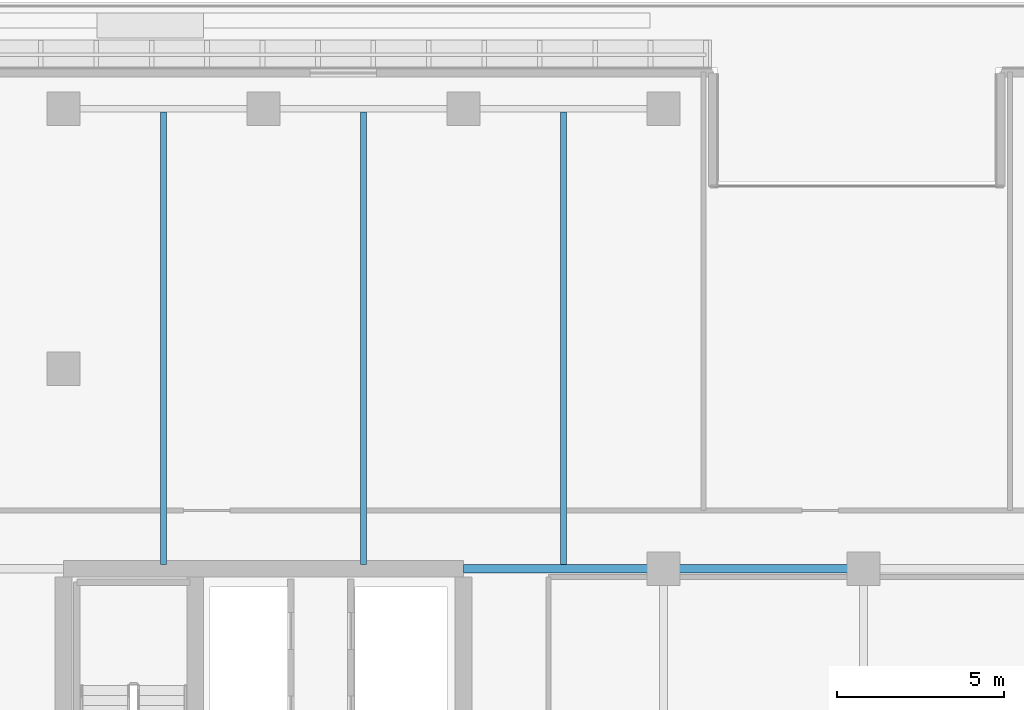
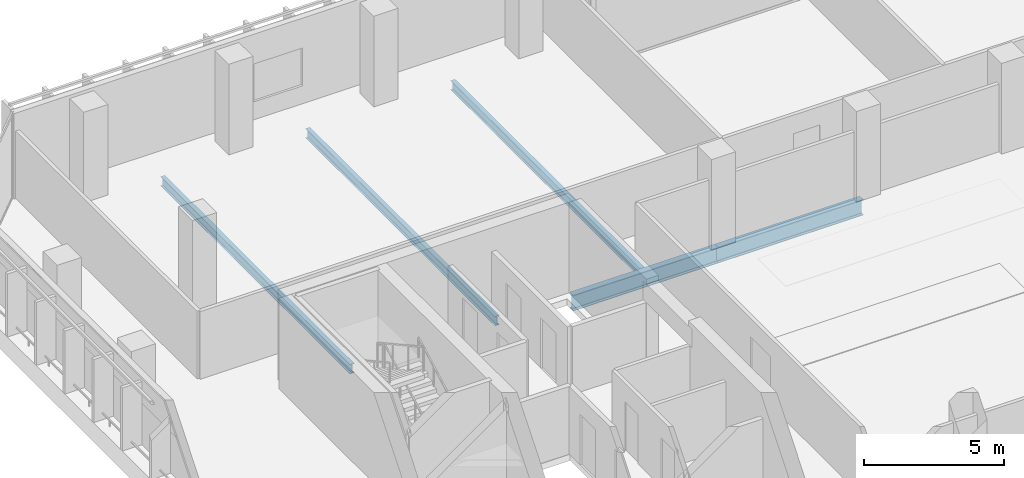
# One storey, part 11 of 38: 5 beams.
"""IFC4 building model written with IfcOpenShell, lengths in metres."""

import ifcopenshell
import ifcopenshell.guid

model = None  # the IFC model being written
_history = None  # IfcOwnerHistory: only IFC2X3 demands one
_inside = {}  # id of a spatial element -> (the spatial element, [elements in it])
_under = {}  # id of a project, library or spatial element -> (it, [spatial elements below it])
_declared = {}  # id of a project -> (the project, [libraries it declares])
_typed = {}  # id of a type object -> (the type object, [elements of that type])
_made_of = {}  # id of a material, layer set ... -> (it, [elements and type objects made of it])


def new_model(schema):
    """Start an empty IFC model of exactly this schema.

    Asked for "IFC4X3", IfcOpenShell would pick the latest addendum, in which some entities
    have other attributes; the version numbers below select the first issue.
    IFC2X3 requires an IfcOwnerHistory on every rooted entity: one is made here for all.
    """
    global model, _history
    if schema == "IFC4X3":
        model = ifcopenshell.file(schema_version=(4, 3, 0, 0))
    else:
        model = ifcopenshell.file(schema=schema)
    _inside.clear()
    _under.clear()
    _declared.clear()
    _typed.clear()
    _made_of.clear()
    _history = None
    if model.schema == "IFC2X3":
        org = make("IfcOrganization", Name="unknown")
        user = make(
            "IfcPersonAndOrganization",
            ThePerson=make("IfcPerson", FamilyName="unknown"),
            TheOrganization=org,
        )
        app = make(
            "IfcApplication",
            ApplicationDeveloper=org,
            Version="unknown",
            ApplicationFullName="unknown",
            ApplicationIdentifier="unknown",
        )
        _history = make(
            "IfcOwnerHistory",
            OwningUser=user,
            OwningApplication=app,
            ChangeAction="ADDED",
            CreationDate=0,
        )
    return model


def make(cls, **values):
    """One entity of the class cls with the attributes given. An attribute that is None is left unset."""
    return model.create_entity(
        cls, **{name: value for name, value in values.items() if value is not None}
    )


def rooted(cls, **values):
    """An entity with a GlobalId (a new one), such as an element, a storey or a relation."""
    return make(cls, GlobalId=ifcopenshell.guid.new(), OwnerHistory=_history, **values)


def si_unit(unit_type, name, prefix=None):
    """IfcSIUnit, for example si_unit("LENGTHUNIT", "METRE", prefix="MILLI")."""
    return make("IfcSIUnit", UnitType=unit_type, Prefix=prefix, Name=name)


def assignment(units):
    """IfcUnitAssignment: the units of a project."""
    return None if units is None else make("IfcUnitAssignment", Units=units)


def point(xyz):
    """IfcCartesianPoint."""
    return None if xyz is None else make("IfcCartesianPoint", Coordinates=xyz)


def direction(xyz):
    """IfcDirection."""
    return None if xyz is None else make("IfcDirection", DirectionRatios=xyz)


def frame(location, z_axis=None, x_axis=None):
    """IfcAxis2Placement3D, a coordinate frame: its origin and axes. An axis left out is left unset."""
    return make(
        "IfcAxis2Placement3D",
        Location=point(location),
        Axis=direction(z_axis),
        RefDirection=direction(x_axis),
    )


def frame_2d(location, x_axis=None):
    """IfcAxis2Placement2D, a coordinate frame in the plane: its origin and x axis."""
    return make(
        "IfcAxis2Placement2D", Location=point(location), RefDirection=direction(x_axis)
    )


def origin():
    """The frame at (0, 0, 0) with its axes left unset."""
    return frame((0.0, 0.0, 0.0))


def origin_2d():
    """The frame at (0, 0) in the plane with its x axis left unset."""
    return frame_2d((0.0, 0.0))


def place(relative_to, where):
    """IfcLocalPlacement: puts the frame where relative to a parent placement (None: the world)."""
    return make(
        "IfcLocalPlacement", PlacementRelTo=relative_to, RelativePlacement=where
    )


def context(
    kind, dimensions, precision=None, world=None, true_north=None, identifier=None
):
    """IfcGeometricRepresentationContext, for example the 3D "Model" context."""
    return make(
        "IfcGeometricRepresentationContext",
        ContextIdentifier=identifier,
        ContextType=kind,
        CoordinateSpaceDimension=dimensions,
        Precision=precision,
        WorldCoordinateSystem=world,
        TrueNorth=true_north,
    )


def subcontext(parent, identifier, kind, view, scale=None):
    """IfcGeometricRepresentationSubContext, for example "Body" below "Model"."""
    return make(
        "IfcGeometricRepresentationSubContext",
        ContextIdentifier=identifier,
        ContextType=kind,
        ParentContext=parent,
        TargetScale=scale,
        TargetView=view,
    )


def project(units=None, contexts=None):
    """IfcProject with its units and contexts."""
    return rooted(
        "IfcProject",
        Name="project",
        RepresentationContexts=contexts,
        UnitsInContext=assignment(units),
    )


def spatial(cls, under=None, at=None, **own):
    """A site, building, storey or space (cls), placed at a placement, below another one or the project."""
    s = rooted(cls, ObjectPlacement=at, **own)
    if under is not None:
        _under.setdefault(under.id(), (under, []))[1].append(s)
    return s


def profile(cls, at=None, kind="AREA", **sizes):
    """A parametric profile (cls). Its sizes go by their IFC names, for example OverallWidth=200.0."""
    return make(cls, ProfileType=kind, Position=at, **sizes)


def i_section(**sizes):
    """IfcIShapeProfileDef."""
    return profile("IfcIShapeProfileDef", **sizes)


def extrude(swept, where, along, depth):
    """IfcExtrudedAreaSolid: the profile swept, set in the frame where, extruded along a direction by depth."""
    return make(
        "IfcExtrudedAreaSolid",
        SweptArea=swept,
        Position=where,
        ExtrudedDirection=direction(along),
        Depth=depth,
    )


def shape(context_of_items, identifier, shape_type, items):
    """IfcShapeRepresentation: the items that make up one representation, for example the "Body"."""
    return make(
        "IfcShapeRepresentation",
        ContextOfItems=context_of_items,
        RepresentationIdentifier=identifier,
        RepresentationType=shape_type,
        Items=items,
    )


def material(Name=None, Category=None):
    """IfcMaterial."""
    return make("IfcMaterial", Name=Name, Category=Category)


def material_profile(
    of_material, cross_section, Name=None, Category=None, Priority=None
):
    """IfcMaterialProfile: a cross section and its material."""
    return make(
        "IfcMaterialProfile",
        Name=Name,
        Material=of_material,
        Profile=cross_section,
        Priority=Priority,
        Category=Category,
    )


def profile_set(profiles, Name=None, composite=None):
    """IfcMaterialProfileSet."""
    return make(
        "IfcMaterialProfileSet",
        Name=Name,
        MaterialProfiles=profiles,
        CompositeProfile=composite,
    )


def made_of(thing, what):
    """Note that an element or type object is made of a material, layer set ...; save() writes the relation."""
    if what is not None:
        _made_of.setdefault(what.id(), (what, []))[1].append(thing)
    return thing


def type_object(cls, material=None, **own):
    """A type object (cls), such as IfcWallType, which elements share."""
    return made_of(rooted(cls, **own), material)


def element(
    cls,
    number,
    at=None,
    inside=None,
    cuts=None,
    type_object=None,
    material=None,
    context=None,
    identifier="Body",
    shape_type=None,
    held_by="IfcProductDefinitionShape",
    body=None,
    shapes=None,
    **own,
):
    """One element of the class cls, such as IfcWall. Its Tag is "e" and its number.

    at: its placement. inside: the storey or other place that contains it. cuts: it is an
    opening in that element (IfcRelVoidsElement). A single representation is given by context,
    identifier, shape_type and body (its items); several are given by shapes. held_by: the class
    of the entity that holds the representations. save() writes the other relations.
    """
    e = rooted(cls, Tag="e%d" % number, ObjectPlacement=at, **own)
    if body is not None:
        shapes = [shape(context, identifier, shape_type, body)]
    if shapes is not None:
        e.Representation = make(held_by, Representations=shapes)
    if inside is not None:
        _inside.setdefault(inside.id(), (inside, []))[1].append(e)
    if cuts is not None:
        rooted(
            "IfcRelVoidsElement", RelatingBuildingElement=cuts, RelatedOpeningElement=e
        )
    if type_object is not None:
        _typed.setdefault(type_object.id(), (type_object, []))[1].append(e)
    return made_of(e, material)


def aggregate(whole, parts):
    """IfcRelAggregates: a whole, such as a stair, and the parts it consists of."""
    return rooted("IfcRelAggregates", RelatingObject=whole, RelatedObjects=parts)


def save(model, path):
    """Write the relations noted so far, then the file.

    IfcRelAggregates (storeys below a building ...), IfcRelContainedInSpatialStructure (elements
    in a storey), IfcRelDefinesByType, IfcRelAssociatesMaterial and IfcRelDeclares: one each for
    every whole, place, type object, material and project.
    """
    for whole, parts in _under.values():
        aggregate(whole, parts)
    for where, things in _inside.values():
        rooted(
            "IfcRelContainedInSpatialStructure",
            RelatedElements=things,
            RelatingStructure=where,
        )
    for kind, things in _typed.values():
        rooted("IfcRelDefinesByType", RelatedObjects=things, RelatingType=kind)
    for what, things in _made_of.values():
        rooted("IfcRelAssociatesMaterial", RelatedObjects=things, RelatingMaterial=what)
    for by, libraries in _declared.values():
        rooted("IfcRelDeclares", RelatingContext=by, RelatedDefinitions=libraries)
    model.write(path)


model = new_model("IFC4")

# Units and contexts
model_context = context("Model", 3, precision=1e-05, world=origin(), true_north=direction((0.0, 1.0)))
body_context = subcontext(model_context, "Body", "Model", "MODEL_VIEW")
ifc_project = project(units=[si_unit("LENGTHUNIT", "METRE"), si_unit("AREAUNIT", "SQUARE_METRE"), si_unit("VOLUMEUNIT", "CUBIC_METRE"), si_unit("PLANEANGLEUNIT", "RADIAN"), si_unit("MASSUNIT", "GRAM", prefix="KILO")], contexts=[model_context])

# Site, building, storey
site_placement = place(None, origin())
site = spatial("IfcSite", under=ifc_project, at=site_placement, CompositionType="ELEMENT")
building_placement = place(site_placement, origin())
building = spatial("IfcBuilding", under=site, at=building_placement, Name="Tanjung Sevakor Pilgrim Tower", CompositionType="ELEMENT")
storey_placement = place(building_placement, frame((0.0, 0.0, 78.2099609375)))
storey = spatial("IfcBuildingStorey", under=building, at=storey_placement, Name="L21", CompositionType="ELEMENT", Elevation=78.2099609375)

# Beams
ifc_material_1 = material(Name="Steel S355J2", Category="steel")
ifc_material_profile_1 = material_profile(ifc_material_1, i_section(OverallWidth=0.25439453125, OverallDepth=0.6875, WebThickness=0.01318359375, FlangeThickness=0.02099609375, FilletRadius=0.01513671875, at=origin_2d()))
ifc_profile_set_1 = profile_set([ifc_material_profile_1], Name="Steel S355J2")
beam_type_1 = type_object("IfcBeamType", Name="BM-B-G2-UB_686x254x152", PredefinedType="BEAM", material=ifc_profile_set_1)
for number, where, z_axis, x_axis, name in (
    (1, (36.0, 42.60009765625, -0.623779296875), (1.0, 0.0, 0.0), (0.0, 1.0, 0.0), "L21 Primary Floor Girder MAIN Y426-02"),
    (2, (42.0, 42.60009765625, -0.623779296875), (1.0, 0.0, 0.0), (0.0, 1.0, 0.0), "L21 Primary Floor Girder MAIN Y426-03"),
):
    element("IfcBeam", number, at=place(storey_placement, frame(where, z_axis=z_axis, x_axis=x_axis)), inside=storey, type_object=beam_type_1, Name=name, PredefinedType="BEAM", context=body_context, shape_type="SweptSolid", body=[
        extrude(i_section(OverallWidth=0.25439453125, OverallDepth=0.6875, WebThickness=0.01318359375, FlangeThickness=0.02099609375, FilletRadius=0.01513671875, at=origin_2d()), origin(), (0.0, 0.0, 1.0), 6.0),
    ])
ifc_material_2 = material(Name="Steel S355J2", Category="steel")
ifc_material_profile_2 = material_profile(ifc_material_2, i_section(OverallWidth=0.1787109375, OverallDepth=0.409423828125, WebThickness=0.0087890625, FlangeThickness=0.014404296875, FilletRadius=0.01025390625, at=origin_2d()))
ifc_profile_set_2 = profile_set([ifc_material_profile_2], Name="Steel S355J2")
beam_type_2 = type_object("IfcBeamType", Name="BM-B-J3-UB_406x178x67", PredefinedType="JOIST", material=ifc_profile_set_2)
for number, where, z_axis, x_axis, name in (
    (3, (27.0, 42.727294921875, -0.484619140625), (0.0, 1.0, 0.0), (-1.0, 0.0, 0.0), "L21 MAIN Joist 002"),
    (4, (33.0, 42.727294921875, -0.484619140625), (0.0, 1.0, 0.0), (-1.0, 0.0, 0.0), "L21 MAIN Joist 004"),
    (5, (39.0, 42.727294921875, -0.484619140625), (0.0, 1.0, 0.0), (-1.0, 0.0, 0.0), "L21 MAIN Joist 006"),
):
    element("IfcBeam", number, at=place(storey_placement, frame(where, z_axis=z_axis, x_axis=x_axis)), inside=storey, type_object=beam_type_2, Name=name, PredefinedType="JOIST", context=body_context, shape_type="SweptSolid", body=[
        extrude(i_section(OverallWidth=0.1787109375, OverallDepth=0.409423828125, WebThickness=0.0087890625, FlangeThickness=0.014404296875, FilletRadius=0.01025390625, at=origin_2d()), origin(), (0.0, 0.0, 1.0), 13.57275390625),
    ])

save(model, "model.ifc")
